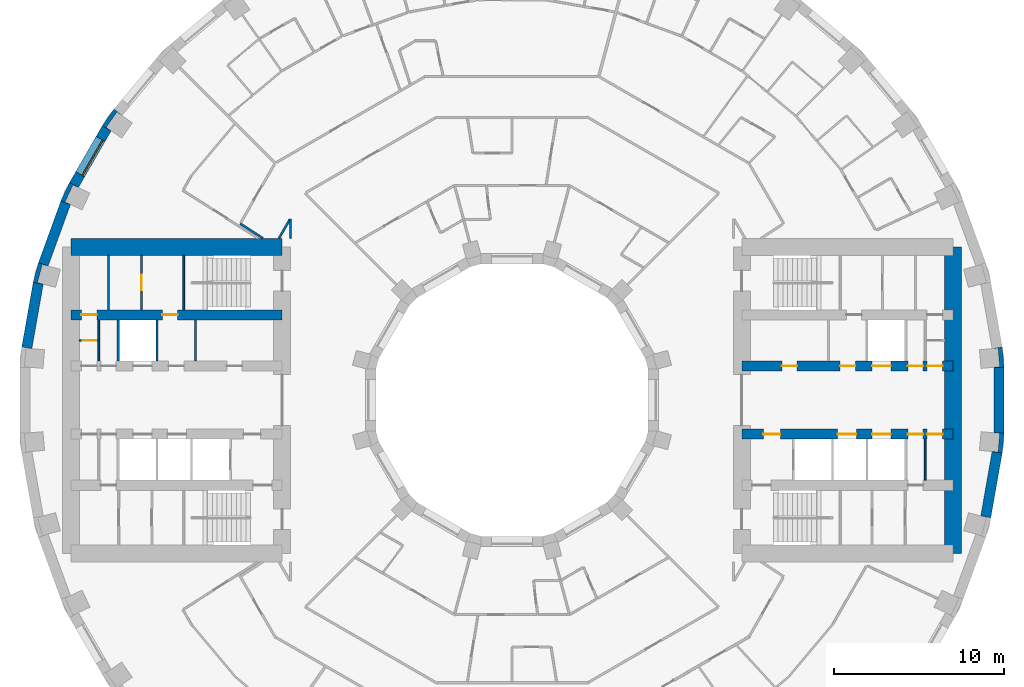
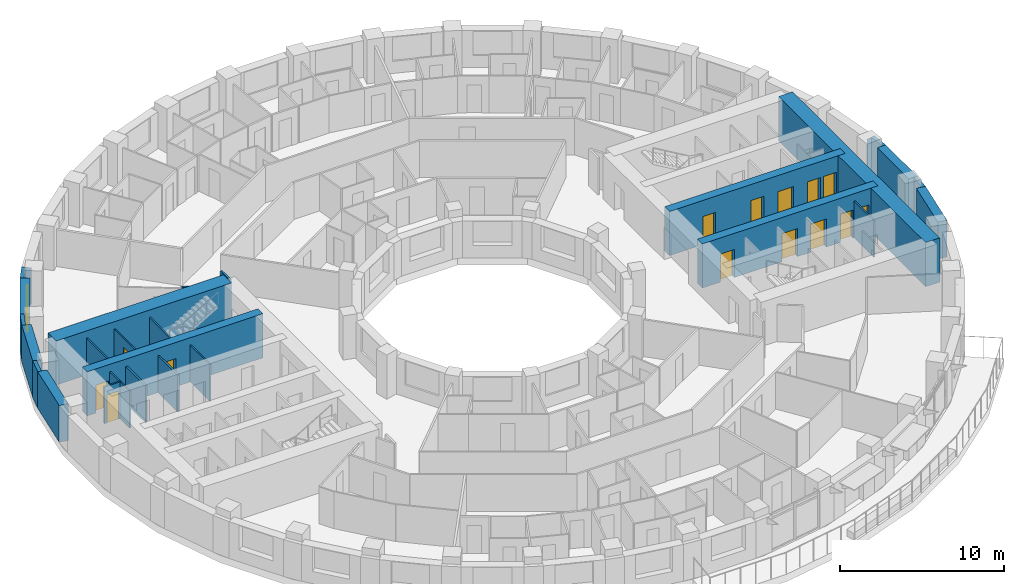
# One storey, part 10 of 17: 27 walls, 14 doors, 1 window, 15 openings.
"""IFC4 building model written with IfcOpenShell, lengths in metres."""

from ifc_helpers import new_model, si_unit, direction, frame, frame_2d, origin, place, context, subcontext, project, spatial, polyline, rectangle, outline, extrude, material, layer, layer_set, type_object, element, fill, save


model = new_model("IFC4")

# Units and contexts
model_context = context("Model", 3, precision=1e-05, world=origin(), true_north=direction((0.0, 1.0)))
body_context = subcontext(model_context, "Body", "Model", "MODEL_VIEW")
ifc_project = project(units=[si_unit("LENGTHUNIT", "METRE"), si_unit("AREAUNIT", "SQUARE_METRE"), si_unit("VOLUMEUNIT", "CUBIC_METRE"), si_unit("PLANEANGLEUNIT", "RADIAN"), si_unit("MASSUNIT", "GRAM", prefix="KILO")], contexts=[model_context])

# Site, building, storey
site_placement = place(None, origin())
site = spatial("IfcSite", under=ifc_project, at=site_placement, CompositionType="ELEMENT")
building_placement = place(site_placement, origin())
building = spatial("IfcBuilding", under=site, at=building_placement, Name="Saqina Gate Tower", CompositionType="ELEMENT")
storey_placement = place(building_placement, frame((0.0, 0.0, 29.60009765625)))
storey = spatial("IfcBuildingStorey", under=building, at=storey_placement, Name="L07", CompositionType="ELEMENT", Elevation=29.60009765625)

# Walls
ifc_material_1 = material(Name="Brick masonry (red)", Category="masonry")
wall_type_1 = type_object("IfcWallType", Name="BRICK PIER COPING RED", PredefinedType="SOLIDWALL", material=ifc_material_1)
wall_1_placement = place(storey_placement, origin())
element("IfcWall", 1, at=wall_1_placement, inside=storey, type_object=wall_type_1, Name="Pier cap L07 column 1", PredefinedType="SOLIDWALL", context=body_context, shape_type="SweptSolid", body=[
    extrude(outline(polyline([(28.8896484375, 1.9228515625), (28.78466796875, 3.122802734375), (28.19384765625, 3.018798828125), (28.54296875, 3.04931640625), (28.638671875, 1.95361328125), (28.28955078125, 1.9228515625), (28.8896484375, 1.9228515625)])), origin(), (0.0, 0.0, 1.0), 2.75),
])
wall_2_placement = place(storey_placement, origin())
element("IfcWall", 2, at=wall_2_placement, inside=storey, type_object=wall_type_1, Name="Pier cap L07 column 15", PredefinedType="SOLIDWALL", context=body_context, shape_type="SweptSolid", body=[
    extrude(outline(polyline([(-23.36669921875, 17.096923828125), (-24.0576171875, 16.110107421875), (-23.5380859375, 15.81005859375), (-23.8251953125, 16.010986328125), (-23.194091796875, 16.912109375), (-22.9072265625, 16.711181640625), (-23.36669921875, 17.096923828125)])), origin(), (0.0, 0.0, 1.0), 2.75),
])
wall_3_placement = place(storey_placement, origin())
element("IfcWall", 3, at=wall_3_placement, inside=storey, type_object=wall_type_1, Name="Pier cap L07 column 16", PredefinedType="SOLIDWALL", context=body_context, shape_type="SweptSolid", body=[
    extrude(outline(polyline([(-26.48974609375, 11.687744140625), (-25.92578125, 11.482666015625), (-26.243408203125, 11.630615234375), (-25.778564453125, 12.627685546875), (-25.4609375, 12.4794921875), (-25.980712890625, 12.779541015625), (-26.48974609375, 11.687744140625)])), origin(), (0.0, 0.0, 1.0), 2.75),
])
wall_4_placement = place(storey_placement, origin())
element("IfcWall", 4, at=wall_4_placement, inside=storey, type_object=wall_type_1, Name="Pier cap L07 column 17", PredefinedType="SOLIDWALL", context=body_context, shape_type="SweptSolid", body=[
    extrude(outline(polyline([(-28.11669921875, 6.910400390625), (-27.52587890625, 6.80615234375), (-27.864501953125, 6.896728515625), (-27.57958984375, 7.95947265625), (-27.2412109375, 7.86865234375), (-27.80517578125, 8.073974609375), (-28.11669921875, 6.910400390625)])), origin(), (0.0, 0.0, 1.0), 2.75),
])
wall_5_placement = place(storey_placement, origin())
element("IfcWall", 5, at=wall_5_placement, inside=storey, type_object=wall_type_1, Name="Pier cap L07 column 36", PredefinedType="SOLIDWALL", context=body_context, shape_type="SweptSolid", body=[
    extrude(outline(polyline([(28.78466796875, -3.122802734375), (28.8896484375, -1.9228515625), (28.28955078125, -1.9228515625), (28.638671875, -1.95361328125), (28.54296875, -3.04931640625), (28.19384765625, -3.018798828125), (28.78466796875, -3.122802734375)])), origin(), (0.0, 0.0, 1.0), 2.75),
])
ifc_material_2 = material(Name="Gypsum board on steel studs", Category="steel")
ifc_layer_1 = layer(ifc_material_2, 0.10009765625)
ifc_layer_set_1 = layer_set([ifc_layer_1], Name="CORE PARTITION")
wall_type_2 = type_object("IfcWallType", Name="CORE PARTITION", PredefinedType="PARTITIONING", material=ifc_layer_set_1)
for number, where, z_axis, x_axis, name in (
    (6, (24.260009765625, -4.699951171875, 0.0), (0.0, 0.0, 1.0), (0.0, 1.0, 0.0), "L07-CP-E09"),
    (7, (-18.582763671875, 2.300048828125, 0.0), (0.0, 0.0, 1.0), (0.0, 1.0, 0.0), "L07-CP-W01"),
    (8, (-24.260009765625, 2.300048828125, 0.0), (0.0, 0.0, 1.0), (0.0, 1.0, 0.0), "L07-CP-W04"),
):
    element("IfcWall", number, at=place(storey_placement, frame(where, z_axis=z_axis, x_axis=x_axis)), inside=storey, type_object=wall_type_2, Name=name, PredefinedType="PARTITIONING", context=body_context, shape_type="SweptSolid", body=[
        extrude(rectangle(XDim=2.39990234375, YDim=0.10009765625, at=frame_2d((1.199951171875, 0.0))), origin(), (0.0, 0.0, 1.0), 2.75),
    ])

# Wall, opening, door
wall_6_placement = place(storey_placement, frame((-24.260009765625, 3.5, 0.0), z_axis=(0.0, 0.0, 1.0), x_axis=(-1.0, 0.0, 0.0)))
wall_6 = element("IfcWall", 9, at=wall_6_placement, inside=storey, type_object=wall_type_2, Name="L07-CP-W10", PredefinedType="PARTITIONING", context=body_context, shape_type="SweptSolid", body=[
    extrude(rectangle(XDim=1.139892578125, YDim=0.10009765625, at=frame_2d((0.56982421875, 0.0))), origin(), (0.0, 0.0, 1.0), 2.75),
])
opening_1_placement = place(wall_6_placement, frame((0.14990234375, 0.0, 0.0)))
opening_1 = element("IfcOpeningElement", 10, at=opening_1_placement, cuts=wall_6, Name="Opening G01-D115", PredefinedType="OPENING", context=body_context, shape_type="SweptSolid", body=[
    extrude(rectangle(XDim=0.800048828125, YDim=2.10009765625, at=frame_2d((0.39990234375, 1.050048828125))), frame((0.0, 0.06201171875, 0.0), z_axis=(0.0, -1.0, 0.0), x_axis=(1.0, 0.0, 0.0)), (0.0, 0.0, 1.0), 0.1240234375),
])
ifc_material_3 = material(Name="Steel-framed fire door leaf, EI 60", Category="steel")
door_type_1 = type_object("IfcDoorType", Name="SERVICE ROOM DOOR 800", OperationType="SINGLE_SWING_LEFT", PredefinedType="DOOR", material=ifc_material_3)
door_1_placement = place(opening_1_placement, frame((0.800048828125, 0.0, 0.0), z_axis=(0.0, 0.0, 1.0), x_axis=(-1.0, 0.0, 0.0)))
door_1 = element("IfcDoor", 11, at=door_1_placement, inside=storey, type_object=door_type_1, Name="L07-CD-W26", OperationType="SINGLE_SWING_LEFT", OverallHeight=2.10009765625, OverallWidth=0.800048828125, PredefinedType="DOOR", context=body_context, shape_type="SweptSolid", body=[
    extrude(rectangle(XDim=0.800048828125, YDim=2.10009765625, at=frame_2d((0.39990234375, 1.050048828125))), frame((0.0, 0.02490234375, 0.0), z_axis=(0.0, -1.0, 0.0), x_axis=(1.0, 0.0, 0.0)), (0.0, 0.0, 1.0), 0.050048828125),
])
fill(opening_1, door_1)

wall_7_placement = place(storey_placement, frame((-21.751953125, 5.300048828125, 0.0), z_axis=(0.0, 0.0, 1.0), x_axis=(0.0, 1.0, 0.0)))
wall_7 = element("IfcWall", 12, at=wall_7_placement, inside=storey, type_object=wall_type_2, Name="L07-CP-W12", PredefinedType="PARTITIONING", context=body_context, shape_type="SweptSolid", body=[
    extrude(rectangle(XDim=3.199951171875, YDim=0.10009765625, at=frame_2d((1.60009765625, 0.0))), origin(), (0.0, 0.0, 1.0), 2.75),
])
opening_2_placement = place(wall_7_placement, frame((1.14990234375, 0.0, 0.0)))
opening_2 = element("IfcOpeningElement", 13, at=opening_2_placement, cuts=wall_7, Name="Opening G01-D131", PredefinedType="OPENING", context=body_context, shape_type="SweptSolid", body=[
    extrude(rectangle(XDim=0.89990234375, YDim=2.10009765625, at=frame_2d((0.449951171875, 1.050048828125))), frame((0.0, 0.06201171875, 0.0), z_axis=(0.0, -1.0, 0.0), x_axis=(1.0, 0.0, 0.0)), (0.0, 0.0, 1.0), 0.1240234375),
])
ifc_material_4 = material(Name="Steel-framed fire door leaf, EI 60", Category="steel")
door_type_2 = type_object("IfcDoorType", Name="SERVICE ROOM DOOR 900", OperationType="SINGLE_SWING_LEFT", PredefinedType="DOOR", material=ifc_material_4)
door_2_placement = place(opening_2_placement, frame((0.89990234375, 0.0, 0.0), z_axis=(0.0, 0.0, 1.0), x_axis=(-1.0, 0.0, 0.0)))
door_2 = element("IfcDoor", 14, at=door_2_placement, inside=storey, type_object=door_type_2, Name="L07-CD-W27", OperationType="SINGLE_SWING_RIGHT", OverallHeight=2.10009765625, OverallWidth=0.89990234375, PredefinedType="DOOR", context=body_context, shape_type="SweptSolid", body=[
    extrude(rectangle(XDim=0.89990234375, YDim=2.10009765625, at=frame_2d((0.449951171875, 1.050048828125))), frame((0.0, 0.02490234375, 0.0), z_axis=(0.0, -1.0, 0.0), x_axis=(1.0, 0.0, 0.0)), (0.0, 0.0, 1.0), 0.050048828125),
])
fill(opening_2, door_2)

# Wall
wall_8_placement = place(storey_placement, frame((-23.697509765625, 5.300048828125, 0.0), z_axis=(0.0, 0.0, 1.0), x_axis=(0.0, 1.0, 0.0)))
element("IfcWall", 15, at=wall_8_placement, inside=storey, type_object=wall_type_2, Name="L07-CP-W13", PredefinedType="PARTITIONING", context=body_context, shape_type="SweptSolid", body=[
    extrude(rectangle(XDim=3.199951171875, YDim=0.10009765625, at=frame_2d((1.60009765625, 0.0))), origin(), (0.0, 0.0, 1.0), 2.75),
])

# Wall, opening, window
ifc_material_5 = material(Name="Brick masonry (red)", Category="masonry")
ifc_layer_2 = layer(ifc_material_5, 0.60009765625)
ifc_layer_set_2 = layer_set([ifc_layer_2], Name="FW-BRICK-RED")
wall_type_3 = type_object("IfcWallType", Name="FW-BRICK-RED", PredefinedType="SOLIDWALL", material=ifc_layer_set_2)
wall_9_placement = place(storey_placement, frame((-23.7978515625, 15.960205078125, 0.0), z_axis=(0.0, 0.0, 1.0), x_axis=(-0.499989888488, -0.86603124159, 0.0)))
wall_9 = element("IfcWall", 16, at=wall_9_placement, inside=storey, type_object=wall_type_3, Name="Facade wall L07 facet 15", PredefinedType="SOLIDWALL", context=body_context, shape_type="SweptSolid", body=[
    extrude(rectangle(XDim=3.845703125, YDim=0.60009765625, at=frame_2d((1.9228515625, 0.0))), origin(), (0.0, 0.0, 1.0), 2.75),
])
opening_3_placement = place(wall_9_placement, frame((0.722900390625, 0.0, 0.89990234375)))
opening_3 = element("IfcOpeningElement", 17, at=opening_3_placement, cuts=wall_9, Name="Opening G01-W13", PredefinedType="OPENING", context=body_context, shape_type="SweptSolid", body=[
    extrude(rectangle(XDim=2.39990234375, YDim=1.800048828125, at=frame_2d((1.199951171875, 0.89990234375))), frame((0.0, 0.31201171875, 0.0), z_axis=(0.0, -1.0, 0.0), x_axis=(1.0, 0.0, 0.0)), (0.0, 0.0, 1.0), 0.6240234375),
])
ifc_material_6 = material(Name="Aluminium glazing", Category="aluminium")
window_type = type_object("IfcWindowType", Name="WN-A", PartitioningType="SINGLE_PANEL", PredefinedType="WINDOW", material=ifc_material_6)
window_placement = place(opening_3_placement, origin())
window = element("IfcWindow", 18, at=window_placement, inside=storey, type_object=window_type, Name="Window L07 facet 15", OverallHeight=1.800048828125, OverallWidth=2.39990234375, PartitioningType="SINGLE_PANEL", PredefinedType="WINDOW", context=body_context, shape_type="SweptSolid", body=[
    extrude(rectangle(XDim=2.39990234375, YDim=1.800048828125, at=frame_2d((1.199951171875, 0.89990234375))), frame((0.0, 0.179931640625, 0.0), z_axis=(0.0, -1.0, 0.0), x_axis=(1.0, 0.0, 0.0)), (0.0, 0.0, 1.0), 0.06005859375),
])
fill(opening_3, window)

# Walls
ifc_material_7 = material(Name="Glazed ceramic tile", Category="ceramic")
ifc_layer_3 = layer(ifc_material_7, 0.60009765625)
ifc_layer_set_3 = layer_set([ifc_layer_3], Name="FW-TILE")
wall_type_4 = type_object("IfcWallType", Name="FW-TILE", PredefinedType="SOLIDWALL", material=ifc_layer_set_3)
wall_10_placement = place(storey_placement, frame((-26.207763671875, 11.585205078125, 0.0), z_axis=(0.0, 0.0, 1.0), x_axis=(-0.342028474173, -0.939689588564, 0.0)))
element("IfcWall", 19, at=wall_10_placement, inside=storey, type_object=wall_type_4, Name="Facade wall L07 facet 16", PredefinedType="SOLIDWALL", context=body_context, shape_type="SweptSolid", body=[
    extrude(rectangle(XDim=3.845947265625, YDim=0.60009765625, at=frame_2d((1.9228515625, 0.0))), origin(), (0.0, 0.0, 1.0), 2.75),
])
wall_11_placement = place(storey_placement, frame((28.589599609375, -1.9228515625, 0.0), z_axis=(0.0, 0.0, 1.0), x_axis=(0.0, 1.0, 0.0)))
element("IfcWall", 20, at=wall_11_placement, inside=storey, type_object=wall_type_4, Name="Facade wall L07 facet 36", PredefinedType="SOLIDWALL", context=body_context, shape_type="SweptSolid", body=[
    extrude(rectangle(XDim=3.845703125, YDim=0.60009765625, at=frame_2d((1.9228515625, 0.0))), origin(), (0.0, 0.0, 1.0), 2.75),
])
ifc_material_8 = material(Name="Glazed ceramic tile (dark blue)", Category="ceramic")
ifc_layer_4 = layer(ifc_material_8, 0.60009765625)
ifc_layer_set_4 = layer_set([ifc_layer_4], Name="FW-TILE-CB")
wall_type_5 = type_object("IfcWallType", Name="FW-TILE-CB", PredefinedType="SOLIDWALL", material=ifc_layer_set_4)
wall_12_placement = place(storey_placement, frame((27.8212890625, -6.858154296875, 0.0), z_axis=(0.0, 0.0, 1.0), x_axis=(0.173687553279, 0.984800809218, 0.0)))
element("IfcWall", 21, at=wall_12_placement, inside=storey, type_object=wall_type_5, Name="Facade wall L07 facet 35", PredefinedType="SOLIDWALL", context=body_context, shape_type="SweptSolid", body=[
    extrude(rectangle(XDim=3.845703125, YDim=0.60009765625, at=frame_2d((1.9228515625, 0.0))), origin(), (0.0, 0.0, 1.0), 2.75),
])
ifc_material_9 = material(Name="Glazed ceramic tile (white)", Category="ceramic")
ifc_layer_5 = layer(ifc_material_9, 0.60009765625)
ifc_layer_set_5 = layer_set([ifc_layer_5], Name="FW-TILE-WH")
wall_type_6 = type_object("IfcWallType", Name="FW-TILE-WH", PredefinedType="SOLIDWALL", material=ifc_layer_set_5)
wall_13_placement = place(storey_placement, frame((-27.8212890625, 6.858154296875, 0.0), z_axis=(0.0, 0.0, 1.0), x_axis=(-0.173687553279, -0.984800809218, 0.0)))
element("IfcWall", 22, at=wall_13_placement, inside=storey, type_object=wall_type_6, Name="Facade wall L07 facet 17", PredefinedType="SOLIDWALL", context=body_context, shape_type="SweptSolid", body=[
    extrude(rectangle(XDim=3.845703125, YDim=0.60009765625, at=frame_2d((1.9228515625, 0.0))), origin(), (0.0, 0.0, 1.0), 2.75),
])
ifc_material_10 = material(Name="Gypsum board on steel studs, 125 mm, fire rated", Category="steel")
ifc_layer_6 = layer(ifc_material_10, 0.125)
ifc_layer_set_6 = layer_set([ifc_layer_6], Name="PARTITION EI 30 125")
wall_type_7 = type_object("IfcWallType", Name="PARTITION EI 30 125", PredefinedType="PARTITIONING", material=ifc_layer_set_6)
wall_14_placement = place(storey_placement, frame((-15.95703125, 10.362060546875, 0.0), z_axis=(0.0, 0.0, 1.0), x_axis=(0.838795721465, -0.544446267002, 0.0)))
element("IfcWall", 23, at=wall_14_placement, inside=storey, type_object=wall_type_7, Name="PARTITION PW1-11", PredefinedType="PARTITIONING", context=body_context, shape_type="SweptSolid", body=[
    extrude(rectangle(XDim=1.583251953125, YDim=0.125, at=frame_2d((0.79150390625, 0.0))), origin(), (0.0, 0.0, 1.0), 2.75),
])
wall_15_placement = place(storey_placement, frame((-13.68310546875, 9.5, 0.0), z_axis=(0.0, 0.0, 1.0), x_axis=(0.500018234033, 0.866014876105, 0.0)))
element("IfcWall", 24, at=wall_15_placement, inside=storey, type_object=wall_type_7, Name="PARTITION PW1-51", PredefinedType="PARTITIONING", context=body_context, shape_type="SweptSolid", body=[
    extrude(rectangle(XDim=1.2861328125, YDim=0.125, at=frame_2d((0.64306640625, 0.0))), origin(), (0.0, 0.0, 1.0), 2.75),
])
wall_16_placement = place(storey_placement, frame((-13.0, 9.5, 0.0), z_axis=(0.0, 0.0, 1.0), x_axis=(0.0, 1.0, 0.0)))
element("IfcWall", 25, at=wall_16_placement, inside=storey, type_object=wall_type_7, Name="PARTITION PW1-56", PredefinedType="PARTITIONING", context=body_context, shape_type="SweptSolid", body=[
    extrude(rectangle(XDim=1.12060546875, YDim=0.125, at=frame_2d((0.560302734375, 0.0))), origin(), (0.0, 0.0, 1.0), 2.75),
])
ifc_material_11 = material(Name="Autoclaved aerated concrete block", Category="concrete")
ifc_layer_7 = layer(ifc_material_11, 0.1201171875)
ifc_layer_set_7 = layer_set([ifc_layer_7], Name="SHAFT PARTITION")
wall_type_8 = type_object("IfcWallType", Name="SHAFT PARTITION", PredefinedType="PARTITIONING", material=ifc_layer_set_7)
for number, where, z_axis, x_axis, name in (
    (26, (-20.840087890625, 2.300048828125, 0.0), (0.0, 0.0, 1.0), (0.0, 1.0, 0.0), "L07-CP-W02"),
    (27, (-23.1201171875, 2.300048828125, 0.0), (0.0, 0.0, 1.0), (0.0, 1.0, 0.0), "L07-CP-W03"),
):
    element("IfcWall", number, at=place(storey_placement, frame(where, z_axis=z_axis, x_axis=x_axis)), inside=storey, type_object=wall_type_8, Name=name, PredefinedType="PARTITIONING", context=body_context, shape_type="SweptSolid", body=[
        extrude(rectangle(XDim=2.39990234375, YDim=0.1201171875, at=frame_2d((1.199951171875, 0.0))), origin(), (0.0, 0.0, 1.0), 2.75),
    ])
ifc_material_12 = material(Name="Autoclaved aerated concrete block", Category="concrete")
ifc_layer_8 = layer(ifc_material_12, 0.10009765625)
ifc_layer_set_8 = layer_set([ifc_layer_8], Name="STAIR ENCLOSURE WALL")
wall_type_9 = type_object("IfcWallType", Name="STAIR ENCLOSURE WALL", PredefinedType="PARTITIONING", material=ifc_layer_set_8)
wall_17_placement = place(storey_placement, frame((-19.27001953125, 5.300048828125, 0.0), z_axis=(0.0, 0.0, 1.0), x_axis=(0.0, 1.0, 0.0)))
element("IfcWall", 28, at=wall_17_placement, inside=storey, type_object=wall_type_9, Name="L07-CP-W11", PredefinedType="PARTITIONING", context=body_context, shape_type="SweptSolid", body=[
    extrude(rectangle(XDim=3.199951171875, YDim=0.10009765625, at=frame_2d((1.60009765625, 0.0))), origin(), (0.0, 0.0, 1.0), 2.75),
])

# Wall, openings, doors
ifc_material_13 = material(Name="Concrete C70/85", Category="concrete")
ifc_layer_9 = layer(ifc_material_13, 0.60009765625)
ifc_layer_set_9 = layer_set([ifc_layer_9], Name="Concrete C70/85")
wall_type_10 = type_object("IfcWallType", Name="STR-CORE WALL-A-I", PredefinedType="SHEAR", material=ifc_layer_set_9)
wall_18_placement = place(storey_placement, frame((13.5, 2.0, 0.0), z_axis=(0.0, 0.0, 1.0), x_axis=(1.0, 0.0, 0.0)))
wall_18 = element("IfcWall", 29, at=wall_18_placement, inside=storey, type_object=wall_type_10, Name="CORE WALL L07 E-L1", PredefinedType="SHEAR", context=body_context, shape_type="SweptSolid", body=[
    extrude(rectangle(XDim=12.39990234375, YDim=0.60009765625, at=frame_2d((6.199951171875, 0.0))), origin(), (0.0, 0.0, 1.0), 3.2998046875),
])
opening_4_placement = place(wall_18_placement, frame((7.64990234375, 0.0, 0.0)))
opening_4 = element("IfcOpeningElement", 30, at=opening_4_placement, cuts=wall_18, Name="Opening G01-LD1", PredefinedType="OPENING", context=body_context, shape_type="SweptSolid", body=[
    extrude(rectangle(XDim=1.10009765625, YDim=2.10009765625, at=frame_2d((0.550048828125, 1.050048828125))), frame((0.0, 0.31201171875, 0.0), z_axis=(0.0, -1.0, 0.0), x_axis=(1.0, 0.0, 0.0)), (0.0, 0.0, 1.0), 0.6240234375),
])
opening_5_placement = place(wall_18_placement, frame((2.34130859375, 0.0, 0.0)))
opening_5 = element("IfcOpeningElement", 31, at=opening_5_placement, cuts=wall_18, Name="Opening G01-D90", PredefinedType="OPENING", context=body_context, shape_type="SweptSolid", body=[
    extrude(rectangle(XDim=0.89990234375, YDim=2.10009765625, at=frame_2d((0.449951171875, 1.050048828125))), frame((0.0, 0.31201171875, 0.0), z_axis=(0.0, -1.0, 0.0), x_axis=(1.0, 0.0, 0.0)), (0.0, 0.0, 1.0), 0.6240234375),
])
opening_6_placement = place(wall_18_placement, frame((5.761474609375, 0.0, 0.0)))
opening_6 = element("IfcOpeningElement", 32, at=opening_6_placement, cuts=wall_18, Name="Opening G01-D91", PredefinedType="OPENING", context=body_context, shape_type="SweptSolid", body=[
    extrude(rectangle(XDim=0.89990234375, YDim=2.10009765625, at=frame_2d((0.449951171875, 1.050048828125))), frame((0.0, 0.31201171875, 0.0), z_axis=(0.0, -1.0, 0.0), x_axis=(1.0, 0.0, 0.0)), (0.0, 0.0, 1.0), 0.6240234375),
])
opening_7_placement = place(wall_18_placement, frame((9.739990234375, 0.0, 0.0)))
opening_7 = element("IfcOpeningElement", 33, at=opening_7_placement, cuts=wall_18, Name="Opening G01-D92", PredefinedType="OPENING", context=body_context, shape_type="SweptSolid", body=[
    extrude(rectangle(XDim=0.89990234375, YDim=2.10009765625, at=frame_2d((0.449951171875, 1.050048828125))), frame((0.0, 0.31201171875, 0.0), z_axis=(0.0, -1.0, 0.0), x_axis=(1.0, 0.0, 0.0)), (0.0, 0.0, 1.0), 0.6240234375),
])
opening_8_placement = place(wall_18_placement, frame((10.8798828125, 0.0, 0.0)))
opening_8 = element("IfcOpeningElement", 34, at=opening_8_placement, cuts=wall_18, Name="Opening G01-D93", PredefinedType="OPENING", context=body_context, shape_type="SweptSolid", body=[
    extrude(rectangle(XDim=0.89990234375, YDim=2.10009765625, at=frame_2d((0.449951171875, 1.050048828125))), frame((0.0, 0.31201171875, 0.0), z_axis=(0.0, -1.0, 0.0), x_axis=(1.0, 0.0, 0.0)), (0.0, 0.0, 1.0), 0.6240234375),
])
ifc_material_14 = material(Name="Stainless steel", Category="steel")
door_type_3 = type_object("IfcDoorType", Name="LANDING DOOR", OperationType="DOUBLE_DOOR_SLIDING", PredefinedType="DOOR", material=ifc_material_14)
door_3_placement = place(opening_4_placement, origin())
door_3 = element("IfcDoor", 35, at=door_3_placement, inside=storey, type_object=door_type_3, Name="LANDING DOOR LR1", OperationType="DOUBLE_DOOR_SLIDING", OverallHeight=2.10009765625, OverallWidth=1.10009765625, PredefinedType="DOOR", context=body_context, shape_type="SweptSolid", body=[
    extrude(rectangle(XDim=1.10009765625, YDim=2.10009765625, at=frame_2d((0.550048828125, 1.050048828125))), frame((0.0, 0.02490234375, 0.0), z_axis=(0.0, -1.0, 0.0), x_axis=(1.0, 0.0, 0.0)), (0.0, 0.0, 1.0), 0.050048828125),
])
fill(opening_4, door_3)
door_4_placement = place(opening_5_placement, origin())
door_4 = element("IfcDoor", 36, at=door_4_placement, inside=storey, type_object=door_type_2, Name="L07-CD-E01", OperationType="SINGLE_SWING_LEFT", OverallHeight=2.10009765625, OverallWidth=0.89990234375, PredefinedType="DOOR", context=body_context, shape_type="SweptSolid", body=[
    extrude(rectangle(XDim=0.89990234375, YDim=2.10009765625, at=frame_2d((0.449951171875, 1.050048828125))), frame((0.0, 0.02490234375, 0.0), z_axis=(0.0, -1.0, 0.0), x_axis=(1.0, 0.0, 0.0)), (0.0, 0.0, 1.0), 0.050048828125),
])
fill(opening_5, door_4)
door_5_placement = place(opening_6_placement, origin())
door_5 = element("IfcDoor", 37, at=door_5_placement, inside=storey, type_object=door_type_2, Name="L07-CD-E02", OperationType="SINGLE_SWING_RIGHT", OverallHeight=2.10009765625, OverallWidth=0.89990234375, PredefinedType="DOOR", context=body_context, shape_type="SweptSolid", body=[
    extrude(rectangle(XDim=0.89990234375, YDim=2.10009765625, at=frame_2d((0.449951171875, 1.050048828125))), frame((0.0, 0.02490234375, 0.0), z_axis=(0.0, -1.0, 0.0), x_axis=(1.0, 0.0, 0.0)), (0.0, 0.0, 1.0), 0.050048828125),
])
fill(opening_6, door_5)
door_6_placement = place(opening_7_placement, origin())
door_6 = element("IfcDoor", 38, at=door_6_placement, inside=storey, type_object=door_type_2, Name="L07-CD-E03", OperationType="SINGLE_SWING_LEFT", OverallHeight=2.10009765625, OverallWidth=0.89990234375, PredefinedType="DOOR", context=body_context, shape_type="SweptSolid", body=[
    extrude(rectangle(XDim=0.89990234375, YDim=2.10009765625, at=frame_2d((0.449951171875, 1.050048828125))), frame((0.0, 0.02490234375, 0.0), z_axis=(0.0, -1.0, 0.0), x_axis=(1.0, 0.0, 0.0)), (0.0, 0.0, 1.0), 0.050048828125),
])
fill(opening_7, door_6)
door_7_placement = place(opening_8_placement, origin())
door_7 = element("IfcDoor", 39, at=door_7_placement, inside=storey, type_object=door_type_2, Name="L07-CD-E04", OperationType="SINGLE_SWING_RIGHT", OverallHeight=2.10009765625, OverallWidth=0.89990234375, PredefinedType="DOOR", context=body_context, shape_type="SweptSolid", body=[
    extrude(rectangle(XDim=0.89990234375, YDim=2.10009765625, at=frame_2d((0.449951171875, 1.050048828125))), frame((0.0, 0.02490234375, 0.0), z_axis=(0.0, -1.0, 0.0), x_axis=(1.0, 0.0, 0.0)), (0.0, 0.0, 1.0), 0.050048828125),
])
fill(opening_8, door_7)

wall_19_placement = place(storey_placement, frame((13.5, -2.0, 0.0), z_axis=(0.0, 0.0, 1.0), x_axis=(1.0, 0.0, 0.0)))
wall_19 = element("IfcWall", 40, at=wall_19_placement, inside=storey, type_object=wall_type_10, Name="CORE WALL L07 E-L2", PredefinedType="SHEAR", context=body_context, shape_type="SweptSolid", body=[
    extrude(rectangle(XDim=12.39990234375, YDim=0.60009765625, at=frame_2d((6.199951171875, 0.0))), origin(), (0.0, 0.0, 1.0), 3.2998046875),
])
opening_9_placement = place(wall_19_placement, frame((5.6201171875, 0.0, 0.0)))
opening_9 = element("IfcOpeningElement", 41, at=opening_9_placement, cuts=wall_19, Name="Opening G01-LD3", PredefinedType="OPENING", context=body_context, shape_type="SweptSolid", body=[
    extrude(rectangle(XDim=1.10009765625, YDim=2.10009765625, at=frame_2d((0.550048828125, 1.050048828125))), frame((0.0, 0.31201171875, 0.0), z_axis=(0.0, -1.0, 0.0), x_axis=(1.0, 0.0, 0.0)), (0.0, 0.0, 1.0), 0.6240234375),
])
opening_10_placement = place(wall_19_placement, frame((7.64990234375, 0.0, 0.0)))
opening_10 = element("IfcOpeningElement", 42, at=opening_10_placement, cuts=wall_19, Name="Opening G01-LD4", PredefinedType="OPENING", context=body_context, shape_type="SweptSolid", body=[
    extrude(rectangle(XDim=1.10009765625, YDim=2.10009765625, at=frame_2d((0.550048828125, 1.050048828125))), frame((0.0, 0.31201171875, 0.0), z_axis=(0.0, -1.0, 0.0), x_axis=(1.0, 0.0, 0.0)), (0.0, 0.0, 1.0), 0.6240234375),
])
opening_11_placement = place(wall_19_placement, frame((1.264892578125, 0.0, 0.0)))
opening_11 = element("IfcOpeningElement", 43, at=opening_11_placement, cuts=wall_19, Name="Opening G01-D94", PredefinedType="OPENING", context=body_context, shape_type="SweptSolid", body=[
    extrude(rectangle(XDim=1.0, YDim=2.10009765625, at=frame_2d((0.5, 1.050048828125))), frame((0.0, 0.31201171875, 0.0), z_axis=(0.0, -1.0, 0.0), x_axis=(1.0, 0.0, 0.0)), (0.0, 0.0, 1.0), 0.6240234375),
])
opening_12_placement = place(wall_19_placement, frame((9.739990234375, 0.0, 0.0)))
opening_12 = element("IfcOpeningElement", 44, at=opening_12_placement, cuts=wall_19, Name="Opening G01-D95", PredefinedType="OPENING", context=body_context, shape_type="SweptSolid", body=[
    extrude(rectangle(XDim=0.89990234375, YDim=2.10009765625, at=frame_2d((0.449951171875, 1.050048828125))), frame((0.0, 0.31201171875, 0.0), z_axis=(0.0, -1.0, 0.0), x_axis=(1.0, 0.0, 0.0)), (0.0, 0.0, 1.0), 0.6240234375),
])
opening_13_placement = place(wall_19_placement, frame((10.8798828125, 0.0, 0.0)))
opening_13 = element("IfcOpeningElement", 45, at=opening_13_placement, cuts=wall_19, Name="Opening G01-D96", PredefinedType="OPENING", context=body_context, shape_type="SweptSolid", body=[
    extrude(rectangle(XDim=0.89990234375, YDim=2.10009765625, at=frame_2d((0.449951171875, 1.050048828125))), frame((0.0, 0.31201171875, 0.0), z_axis=(0.0, -1.0, 0.0), x_axis=(1.0, 0.0, 0.0)), (0.0, 0.0, 1.0), 0.6240234375),
])
ifc_material_15 = material(Name="Steel", Category="steel")
door_type_4 = type_object("IfcDoorType", Name="FIRE LOBBY DOOR EI 60", OperationType="SINGLE_SWING_LEFT", PredefinedType="DOOR", material=ifc_material_15)
door_8_placement = place(opening_11_placement, origin())
door_8 = element("IfcDoor", 46, at=door_8_placement, inside=storey, type_object=door_type_4, Name="L07-CD-E05", OperationType="SINGLE_SWING_LEFT", OverallHeight=2.10009765625, OverallWidth=1.0, PredefinedType="DOOR", context=body_context, shape_type="SweptSolid", body=[
    extrude(rectangle(XDim=1.0, YDim=2.10009765625, at=frame_2d((0.5, 1.050048828125))), frame((0.0, 0.02490234375, 0.0), z_axis=(0.0, -1.0, 0.0), x_axis=(1.0, 0.0, 0.0)), (0.0, 0.0, 1.0), 0.050048828125),
])
fill(opening_11, door_8)
door_9_placement = place(opening_9_placement, origin())
door_9 = element("IfcDoor", 47, at=door_9_placement, inside=storey, type_object=door_type_3, Name="LANDING DOOR LR3", OperationType="DOUBLE_DOOR_SLIDING", OverallHeight=2.10009765625, OverallWidth=1.10009765625, PredefinedType="DOOR", context=body_context, shape_type="SweptSolid", body=[
    extrude(rectangle(XDim=1.10009765625, YDim=2.10009765625, at=frame_2d((0.550048828125, 1.050048828125))), frame((0.0, 0.02490234375, 0.0), z_axis=(0.0, -1.0, 0.0), x_axis=(1.0, 0.0, 0.0)), (0.0, 0.0, 1.0), 0.050048828125),
])
fill(opening_9, door_9)
door_10_placement = place(opening_10_placement, origin())
door_10 = element("IfcDoor", 48, at=door_10_placement, inside=storey, type_object=door_type_3, Name="LANDING DOOR LR2", OperationType="DOUBLE_DOOR_SLIDING", OverallHeight=2.10009765625, OverallWidth=1.10009765625, PredefinedType="DOOR", context=body_context, shape_type="SweptSolid", body=[
    extrude(rectangle(XDim=1.10009765625, YDim=2.10009765625, at=frame_2d((0.550048828125, 1.050048828125))), frame((0.0, 0.02490234375, 0.0), z_axis=(0.0, -1.0, 0.0), x_axis=(1.0, 0.0, 0.0)), (0.0, 0.0, 1.0), 0.050048828125),
])
fill(opening_10, door_10)
door_11_placement = place(opening_12_placement, frame((0.89990234375, 0.0, 0.0), z_axis=(0.0, 0.0, 1.0), x_axis=(-1.0, 0.0, 0.0)))
door_11 = element("IfcDoor", 49, at=door_11_placement, inside=storey, type_object=door_type_2, Name="L07-CD-E06", OperationType="SINGLE_SWING_RIGHT", OverallHeight=2.10009765625, OverallWidth=0.89990234375, PredefinedType="DOOR", context=body_context, shape_type="SweptSolid", body=[
    extrude(rectangle(XDim=0.89990234375, YDim=2.10009765625, at=frame_2d((0.449951171875, 1.050048828125))), frame((0.0, 0.02490234375, 0.0), z_axis=(0.0, -1.0, 0.0), x_axis=(1.0, 0.0, 0.0)), (0.0, 0.0, 1.0), 0.050048828125),
])
fill(opening_12, door_11)
door_12_placement = place(opening_13_placement, frame((0.89990234375, 0.0, 0.0), z_axis=(0.0, 0.0, 1.0), x_axis=(-1.0, 0.0, 0.0)))
door_12 = element("IfcDoor", 50, at=door_12_placement, inside=storey, type_object=door_type_2, Name="L07-CD-E07", OperationType="SINGLE_SWING_LEFT", OverallHeight=2.10009765625, OverallWidth=0.89990234375, PredefinedType="DOOR", context=body_context, shape_type="SweptSolid", body=[
    extrude(rectangle(XDim=0.89990234375, YDim=2.10009765625, at=frame_2d((0.449951171875, 1.050048828125))), frame((0.0, 0.02490234375, 0.0), z_axis=(0.0, -1.0, 0.0), x_axis=(1.0, 0.0, 0.0)), (0.0, 0.0, 1.0), 0.050048828125),
])
fill(opening_13, door_12)

wall_20_placement = place(storey_placement, frame((-13.5, 5.0, 0.0), z_axis=(0.0, 0.0, 1.0), x_axis=(-1.0, 0.0, 0.0)))
wall_20 = element("IfcWall", 51, at=wall_20_placement, inside=storey, type_object=wall_type_10, Name="CORE WALL L07 W-X1", PredefinedType="SHEAR", context=body_context, shape_type="SweptSolid", body=[
    extrude(rectangle(XDim=12.39990234375, YDim=0.60009765625, at=frame_2d((6.199951171875, 0.0))), origin(), (0.0, 0.0, 1.0), 3.2998046875),
])
opening_14_placement = place(wall_20_placement, frame((6.1298828125, 0.0, 0.0)))
opening_14 = element("IfcOpeningElement", 52, at=opening_14_placement, cuts=wall_20, Name="Opening G01-D132", PredefinedType="OPENING", context=body_context, shape_type="SweptSolid", body=[
    extrude(rectangle(XDim=0.89990234375, YDim=2.10009765625, at=frame_2d((0.449951171875, 1.050048828125))), frame((0.0, 0.31201171875, 0.0), z_axis=(0.0, -1.0, 0.0), x_axis=(1.0, 0.0, 0.0)), (0.0, 0.0, 1.0), 0.6240234375),
])
opening_15_placement = place(wall_20_placement, frame((10.8798828125, 0.0, 0.0)))
opening_15 = element("IfcOpeningElement", 53, at=opening_15_placement, cuts=wall_20, Name="Opening G01-D118", PredefinedType="OPENING", context=body_context, shape_type="SweptSolid", body=[
    extrude(rectangle(XDim=0.89990234375, YDim=2.10009765625, at=frame_2d((0.449951171875, 1.050048828125))), frame((0.0, 0.31201171875, 0.0), z_axis=(0.0, -1.0, 0.0), x_axis=(1.0, 0.0, 0.0)), (0.0, 0.0, 1.0), 0.6240234375),
])
door_13_placement = place(opening_14_placement, frame((0.89990234375, 0.0, 0.0), z_axis=(0.0, 0.0, 1.0), x_axis=(-1.0, 0.0, 0.0)))
door_13 = element("IfcDoor", 54, at=door_13_placement, inside=storey, type_object=door_type_2, Name="L07-CD-W28", OperationType="SINGLE_SWING_RIGHT", OverallHeight=2.10009765625, OverallWidth=0.89990234375, PredefinedType="DOOR", context=body_context, shape_type="SweptSolid", body=[
    extrude(rectangle(XDim=0.89990234375, YDim=2.10009765625, at=frame_2d((0.449951171875, 1.050048828125))), frame((0.0, 0.02490234375, 0.0), z_axis=(0.0, -1.0, 0.0), x_axis=(1.0, 0.0, 0.0)), (0.0, 0.0, 1.0), 0.050048828125),
])
fill(opening_14, door_13)
door_14_placement = place(opening_15_placement, frame((0.89990234375, 0.0, 0.0), z_axis=(0.0, 0.0, 1.0), x_axis=(-1.0, 0.0, 0.0)))
door_14 = element("IfcDoor", 55, at=door_14_placement, inside=storey, type_object=door_type_2, Name="L07-CD-W29", OperationType="SINGLE_SWING_LEFT", OverallHeight=2.10009765625, OverallWidth=0.89990234375, PredefinedType="DOOR", context=body_context, shape_type="SweptSolid", body=[
    extrude(rectangle(XDim=0.89990234375, YDim=2.10009765625, at=frame_2d((0.449951171875, 1.050048828125))), frame((0.0, 0.02490234375, 0.0), z_axis=(0.0, -1.0, 0.0), x_axis=(1.0, 0.0, 0.0)), (0.0, 0.0, 1.0), 0.050048828125),
])
fill(opening_15, door_14)

# Walls
ifc_material_16 = material(Name="Concrete C70/85", Category="concrete")
ifc_layer_10 = layer(ifc_material_16, 1.0)
ifc_layer_set_10 = layer_set([ifc_layer_10], Name="Concrete C70/85")
wall_type_11 = type_object("IfcWallType", Name="STR-CORE WALL-A-O", PredefinedType="SHEAR", material=ifc_layer_set_10)
wall_21_placement = place(storey_placement, frame((25.89990234375, -9.0, 0.0), z_axis=(0.0, 0.0, 1.0), x_axis=(0.0, 1.0, 0.0)))
element("IfcWall", 56, at=wall_21_placement, inside=storey, type_object=wall_type_11, Name="CORE WALL L07 E-W2", PredefinedType="SHEAR", context=body_context, shape_type="SweptSolid", body=[
    extrude(rectangle(XDim=18.0, YDim=1.0, at=frame_2d((9.0, 0.0))), origin(), (0.0, 0.0, 1.0), 3.2998046875),
])
wall_22_placement = place(storey_placement, frame((-13.5, 9.0, 0.0), z_axis=(0.0, 0.0, 1.0), x_axis=(-1.0, 0.0, 0.0)))
element("IfcWall", 57, at=wall_22_placement, inside=storey, type_object=wall_type_11, Name="CORE WALL L07 W-NE", PredefinedType="SHEAR", context=body_context, shape_type="SweptSolid", body=[
    extrude(rectangle(XDim=12.39990234375, YDim=1.0, at=frame_2d((6.199951171875, 0.0))), origin(), (0.0, 0.0, 1.0), 3.2998046875),
])

save(model, "model.ifc")
